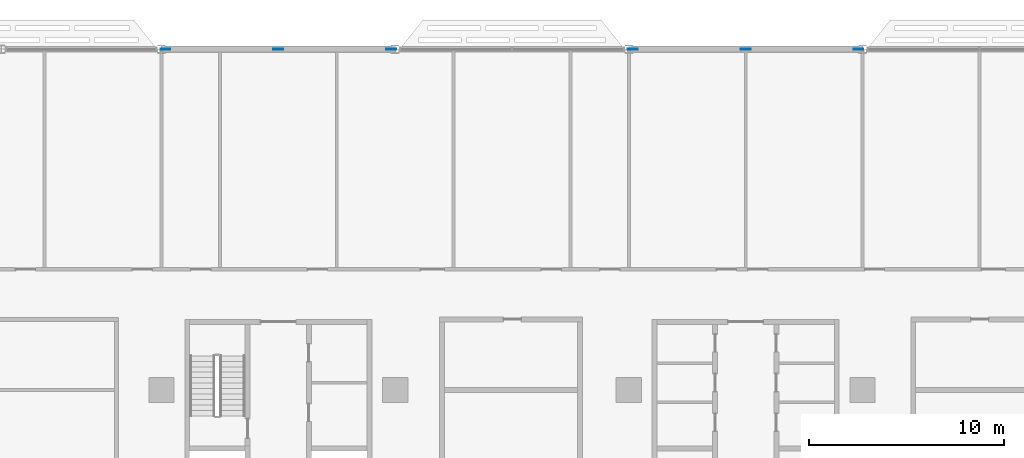
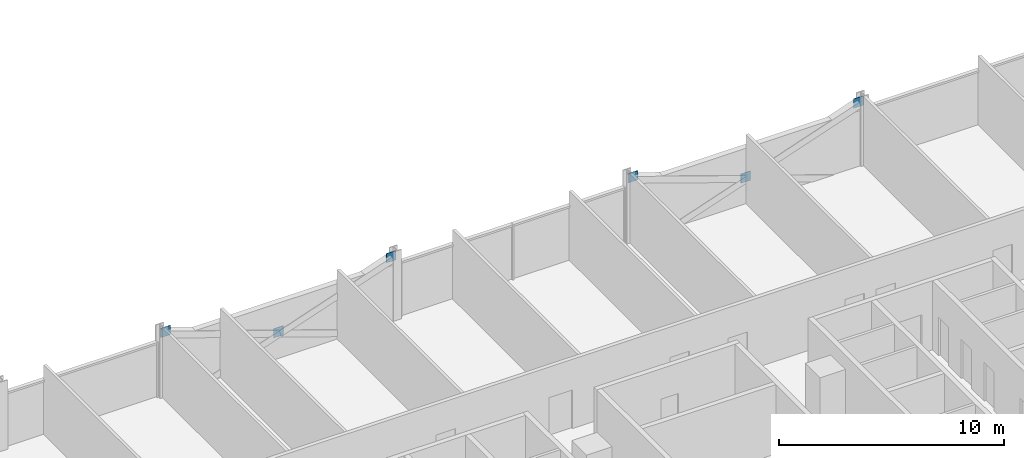
# One storey, part 22 of 29: 6 discrete accessories.
"""IFC4 building model written with IfcOpenShell, lengths in metres."""

from ifc_helpers import new_model, si_unit, direction, frame, origin, origin_2d, place, context, subcontext, project, spatial, rectangle, extrude, material, layer, layer_set, type_object, element, save


model = new_model("IFC4")

# Units and contexts
model_context = context("Model", 3, precision=1e-05, world=origin(), true_north=direction((0.0, 1.0)))
body_context = subcontext(model_context, "Body", "Model", "MODEL_VIEW")
ifc_project = project(units=[si_unit("LENGTHUNIT", "METRE"), si_unit("AREAUNIT", "SQUARE_METRE"), si_unit("VOLUMEUNIT", "CUBIC_METRE"), si_unit("PLANEANGLEUNIT", "RADIAN"), si_unit("MASSUNIT", "GRAM", prefix="KILO")], contexts=[model_context])

# Site, building, storey
site_placement = place(None, origin())
site = spatial("IfcSite", under=ifc_project, at=site_placement, CompositionType="ELEMENT")
building_placement = place(site_placement, origin())
building = spatial("IfcBuilding", under=site, at=building_placement, Name="Mahtab Terrace Research Tower", CompositionType="ELEMENT")
storey_placement = place(building_placement, frame((0.0, 0.0, 142.5)))
storey = spatial("IfcBuildingStorey", under=building, at=storey_placement, Name="L33", CompositionType="ELEMENT", Elevation=142.5)

# Discrete accessories
ifc_material = material(Name="Steel ASTM A992 Gr 50", Category="steel")
ifc_layer = layer(ifc_material, 0.030029296875)
ifc_layer_set = layer_set([ifc_layer], Name="Gusset plate 500x500x30")
discrete_accessory_type = type_object("IfcDiscreteAccessoryType", Name="Gusset plate 500x500x30", PredefinedType="USERDEFINED", material=ifc_layer_set)
for number, where, z_axis, x_axis, name in (
    (1, (-29.794189453125, 29.0, 3.131591796875), (0.0, 0.0, 1.0), (1.0, 0.0, 0.0), "Gusset plate"),
    (2, (-24.0, 29.0, 1.08154296875), (0.0, 0.0, 1.0), (1.0, 0.0, 0.0), "Gusset plate"),
    (3, (-18.205810546875, 29.0, 3.131591796875), (0.0, 0.0, 1.0), (1.0, 0.0, 0.0), "Gusset plate"),
    (4, (-5.794189453125, 29.0, 3.131591796875), (0.0, 0.0, 1.0), (1.0, 0.0, 0.0), "Gusset plate"),
    (5, (0.0, 29.0, 1.08154296875), (0.0, 0.0, 1.0), (1.0, 0.0, 0.0), "Gusset plate"),
    (6, (5.794189453125, 29.0, 3.131591796875), (0.0, 0.0, 1.0), (1.0, 0.0, 0.0), "Gusset plate"),
):
    element("IfcDiscreteAccessory", number, at=place(storey_placement, frame(where, z_axis=z_axis, x_axis=x_axis)), inside=storey, type_object=discrete_accessory_type, Name=name, ObjectType="GUSSET PLATE", PredefinedType="USERDEFINED", context=body_context, shape_type="SweptSolid", body=[
        extrude(rectangle(XDim=0.5, YDim=0.030029296875, at=origin_2d()), origin(), (0.0, 0.0, 1.0), 0.5),
    ])

save(model, "model.ifc")
